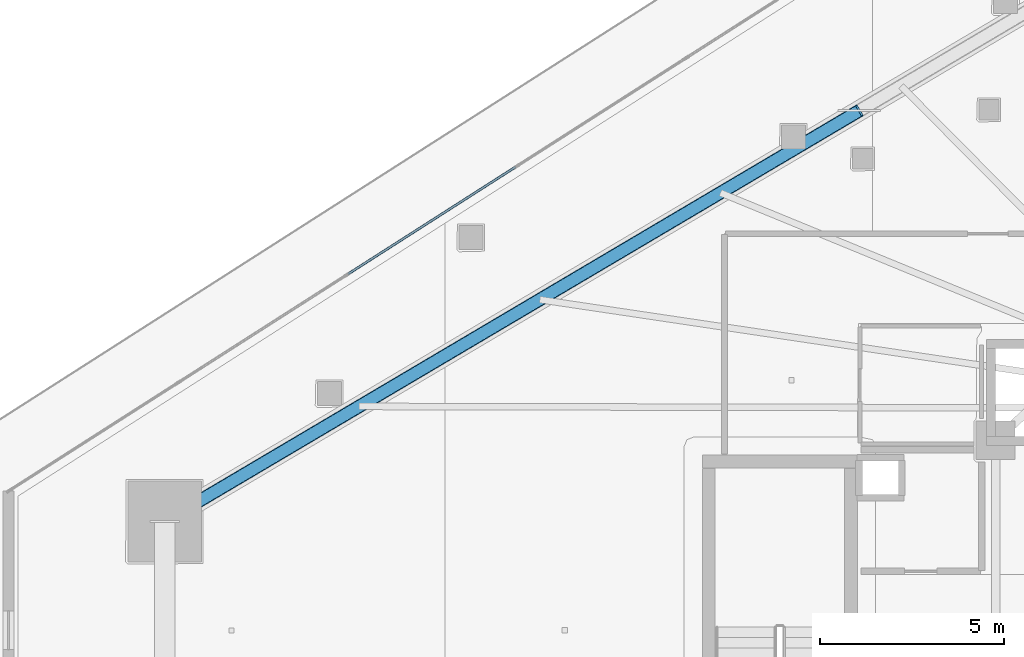
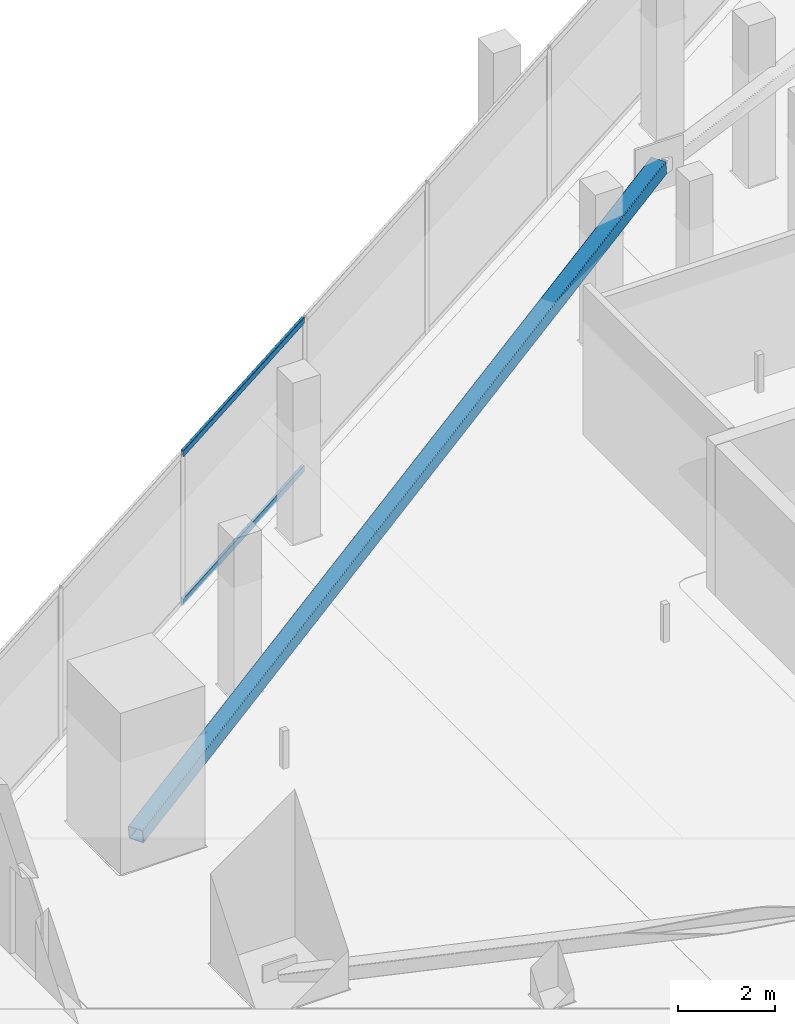
# One storey, part 13 of 40: 3 members, 1 element without a shape of its own.
"""IFC4 building model written with IfcOpenShell, lengths in metres."""

import ifcopenshell
import ifcopenshell.guid

model = None  # the IFC model being written
_history = None  # IfcOwnerHistory: only IFC2X3 demands one
_inside = {}  # id of a spatial element -> (the spatial element, [elements in it])
_under = {}  # id of a project, library or spatial element -> (it, [spatial elements below it])
_declared = {}  # id of a project -> (the project, [libraries it declares])
_typed = {}  # id of a type object -> (the type object, [elements of that type])
_made_of = {}  # id of a material, layer set ... -> (it, [elements and type objects made of it])


def new_model(schema):
    """Start an empty IFC model of exactly this schema.

    Asked for "IFC4X3", IfcOpenShell would pick the latest addendum, in which some entities
    have other attributes; the version numbers below select the first issue.
    IFC2X3 requires an IfcOwnerHistory on every rooted entity: one is made here for all.
    """
    global model, _history
    if schema == "IFC4X3":
        model = ifcopenshell.file(schema_version=(4, 3, 0, 0))
    else:
        model = ifcopenshell.file(schema=schema)
    _inside.clear()
    _under.clear()
    _declared.clear()
    _typed.clear()
    _made_of.clear()
    _history = None
    if model.schema == "IFC2X3":
        org = make("IfcOrganization", Name="unknown")
        user = make(
            "IfcPersonAndOrganization",
            ThePerson=make("IfcPerson", FamilyName="unknown"),
            TheOrganization=org,
        )
        app = make(
            "IfcApplication",
            ApplicationDeveloper=org,
            Version="unknown",
            ApplicationFullName="unknown",
            ApplicationIdentifier="unknown",
        )
        _history = make(
            "IfcOwnerHistory",
            OwningUser=user,
            OwningApplication=app,
            ChangeAction="ADDED",
            CreationDate=0,
        )
    return model


def make(cls, **values):
    """One entity of the class cls with the attributes given. An attribute that is None is left unset."""
    return model.create_entity(
        cls, **{name: value for name, value in values.items() if value is not None}
    )


def rooted(cls, **values):
    """An entity with a GlobalId (a new one), such as an element, a storey or a relation."""
    return make(cls, GlobalId=ifcopenshell.guid.new(), OwnerHistory=_history, **values)


def si_unit(unit_type, name, prefix=None):
    """IfcSIUnit, for example si_unit("LENGTHUNIT", "METRE", prefix="MILLI")."""
    return make("IfcSIUnit", UnitType=unit_type, Prefix=prefix, Name=name)


def assignment(units):
    """IfcUnitAssignment: the units of a project."""
    return None if units is None else make("IfcUnitAssignment", Units=units)


def point(xyz):
    """IfcCartesianPoint."""
    return None if xyz is None else make("IfcCartesianPoint", Coordinates=xyz)


def direction(xyz):
    """IfcDirection."""
    return None if xyz is None else make("IfcDirection", DirectionRatios=xyz)


def frame(location, z_axis=None, x_axis=None):
    """IfcAxis2Placement3D, a coordinate frame: its origin and axes. An axis left out is left unset."""
    return make(
        "IfcAxis2Placement3D",
        Location=point(location),
        Axis=direction(z_axis),
        RefDirection=direction(x_axis),
    )


def frame_2d(location, x_axis=None):
    """IfcAxis2Placement2D, a coordinate frame in the plane: its origin and x axis."""
    return make(
        "IfcAxis2Placement2D", Location=point(location), RefDirection=direction(x_axis)
    )


def origin():
    """The frame at (0, 0, 0) with its axes left unset."""
    return frame((0.0, 0.0, 0.0))


def origin_2d():
    """The frame at (0, 0) in the plane with its x axis left unset."""
    return frame_2d((0.0, 0.0))


def place(relative_to, where):
    """IfcLocalPlacement: puts the frame where relative to a parent placement (None: the world)."""
    return make(
        "IfcLocalPlacement", PlacementRelTo=relative_to, RelativePlacement=where
    )


def context(
    kind, dimensions, precision=None, world=None, true_north=None, identifier=None
):
    """IfcGeometricRepresentationContext, for example the 3D "Model" context."""
    return make(
        "IfcGeometricRepresentationContext",
        ContextIdentifier=identifier,
        ContextType=kind,
        CoordinateSpaceDimension=dimensions,
        Precision=precision,
        WorldCoordinateSystem=world,
        TrueNorth=true_north,
    )


def subcontext(parent, identifier, kind, view, scale=None):
    """IfcGeometricRepresentationSubContext, for example "Body" below "Model"."""
    return make(
        "IfcGeometricRepresentationSubContext",
        ContextIdentifier=identifier,
        ContextType=kind,
        ParentContext=parent,
        TargetScale=scale,
        TargetView=view,
    )


def project(units=None, contexts=None):
    """IfcProject with its units and contexts."""
    return rooted(
        "IfcProject",
        Name="project",
        RepresentationContexts=contexts,
        UnitsInContext=assignment(units),
    )


def spatial(cls, under=None, at=None, **own):
    """A site, building, storey or space (cls), placed at a placement, below another one or the project."""
    s = rooted(cls, ObjectPlacement=at, **own)
    if under is not None:
        _under.setdefault(under.id(), (under, []))[1].append(s)
    return s


def profile(cls, at=None, kind="AREA", **sizes):
    """A parametric profile (cls). Its sizes go by their IFC names, for example OverallWidth=200.0."""
    return make(cls, ProfileType=kind, Position=at, **sizes)


def hollow_rectangle(**sizes):
    """IfcRectangleHollowProfileDef."""
    return profile("IfcRectangleHollowProfileDef", **sizes)


def extrude(swept, where, along, depth):
    """IfcExtrudedAreaSolid: the profile swept, set in the frame where, extruded along a direction by depth."""
    return make(
        "IfcExtrudedAreaSolid",
        SweptArea=swept,
        Position=where,
        ExtrudedDirection=direction(along),
        Depth=depth,
    )


def shape(context_of_items, identifier, shape_type, items):
    """IfcShapeRepresentation: the items that make up one representation, for example the "Body"."""
    return make(
        "IfcShapeRepresentation",
        ContextOfItems=context_of_items,
        RepresentationIdentifier=identifier,
        RepresentationType=shape_type,
        Items=items,
    )


def material(Name=None, Category=None):
    """IfcMaterial."""
    return make("IfcMaterial", Name=Name, Category=Category)


def layer(
    of_material, thickness, ventilated=None, Name=None, Category=None, Priority=None
):
    """IfcMaterialLayer: one layer of a wall or slab, of a material (None: an air gap)."""
    return make(
        "IfcMaterialLayer",
        Material=of_material,
        LayerThickness=thickness,
        IsVentilated=ventilated,
        Name=Name,
        Category=Category,
        Priority=Priority,
    )


def layer_set(layers, Name=None):
    """IfcMaterialLayerSet."""
    return make("IfcMaterialLayerSet", MaterialLayers=layers, LayerSetName=Name)


def material_profile(
    of_material, cross_section, Name=None, Category=None, Priority=None
):
    """IfcMaterialProfile: a cross section and its material."""
    return make(
        "IfcMaterialProfile",
        Name=Name,
        Material=of_material,
        Profile=cross_section,
        Priority=Priority,
        Category=Category,
    )


def profile_set(profiles, Name=None, composite=None):
    """IfcMaterialProfileSet."""
    return make(
        "IfcMaterialProfileSet",
        Name=Name,
        MaterialProfiles=profiles,
        CompositeProfile=composite,
    )


def made_of(thing, what):
    """Note that an element or type object is made of a material, layer set ...; save() writes the relation."""
    if what is not None:
        _made_of.setdefault(what.id(), (what, []))[1].append(thing)
    return thing


def type_object(cls, material=None, **own):
    """A type object (cls), such as IfcWallType, which elements share."""
    return made_of(rooted(cls, **own), material)


def element(
    cls,
    number,
    at=None,
    inside=None,
    cuts=None,
    type_object=None,
    material=None,
    context=None,
    identifier="Body",
    shape_type=None,
    held_by="IfcProductDefinitionShape",
    body=None,
    shapes=None,
    **own,
):
    """One element of the class cls, such as IfcWall. Its Tag is "e" and its number.

    at: its placement. inside: the storey or other place that contains it. cuts: it is an
    opening in that element (IfcRelVoidsElement). A single representation is given by context,
    identifier, shape_type and body (its items); several are given by shapes. held_by: the class
    of the entity that holds the representations. save() writes the other relations.
    """
    e = rooted(cls, Tag="e%d" % number, ObjectPlacement=at, **own)
    if body is not None:
        shapes = [shape(context, identifier, shape_type, body)]
    if shapes is not None:
        e.Representation = make(held_by, Representations=shapes)
    if inside is not None:
        _inside.setdefault(inside.id(), (inside, []))[1].append(e)
    if cuts is not None:
        rooted(
            "IfcRelVoidsElement", RelatingBuildingElement=cuts, RelatedOpeningElement=e
        )
    if type_object is not None:
        _typed.setdefault(type_object.id(), (type_object, []))[1].append(e)
    return made_of(e, material)


def aggregate(whole, parts):
    """IfcRelAggregates: a whole, such as a stair, and the parts it consists of."""
    return rooted("IfcRelAggregates", RelatingObject=whole, RelatedObjects=parts)


def save(model, path):
    """Write the relations noted so far, then the file.

    IfcRelAggregates (storeys below a building ...), IfcRelContainedInSpatialStructure (elements
    in a storey), IfcRelDefinesByType, IfcRelAssociatesMaterial and IfcRelDeclares: one each for
    every whole, place, type object, material and project.
    """
    for whole, parts in _under.values():
        aggregate(whole, parts)
    for where, things in _inside.values():
        rooted(
            "IfcRelContainedInSpatialStructure",
            RelatedElements=things,
            RelatingStructure=where,
        )
    for kind, things in _typed.values():
        rooted("IfcRelDefinesByType", RelatedObjects=things, RelatingType=kind)
    for what, things in _made_of.values():
        rooted("IfcRelAssociatesMaterial", RelatedObjects=things, RelatingMaterial=what)
    for by, libraries in _declared.values():
        rooted("IfcRelDeclares", RelatingContext=by, RelatedDefinitions=libraries)
    model.write(path)


model = new_model("IFC4")

# Units and contexts
model_context = context("Model", 3, precision=1e-05, world=origin(), true_north=direction((0.0, 1.0)))
body_context = subcontext(model_context, "Body", "Model", "MODEL_VIEW")
ifc_project = project(units=[si_unit("LENGTHUNIT", "METRE"), si_unit("AREAUNIT", "SQUARE_METRE"), si_unit("VOLUMEUNIT", "CUBIC_METRE"), si_unit("PLANEANGLEUNIT", "RADIAN"), si_unit("MASSUNIT", "GRAM", prefix="KILO")], contexts=[model_context])

# Site, building, storey
site_placement = place(None, origin())
site = spatial("IfcSite", under=ifc_project, at=site_placement, CompositionType="ELEMENT")
building_placement = place(site_placement, origin())
building = spatial("IfcBuilding", under=site, at=building_placement, Name="Qorvath Tower", CompositionType="ELEMENT")
storey_placement = place(building_placement, frame((0.0, 0.0, 138.14990234375)))
storey = spatial("IfcBuildingStorey", under=building, at=storey_placement, Name="L31", CompositionType="ELEMENT", Elevation=138.14990234375)

# Curtain wall, members
ifc_material_1 = material(Name="Anodised aluminium and triple low-E glass", Category="aluminium")
ifc_layer = layer(ifc_material_1, 0.179931640625)
ifc_layer_set = layer_set([ifc_layer], Name="CW-SYS-3")
curtain_wall_type = type_object("IfcCurtainWallType", Name="CW-SYS-3", PredefinedType="NOTDEFINED", material=ifc_layer_set)
curtain_wall_placement = place(storey_placement, origin())
curtain_wall = element("IfcCurtainWall", 1, at=curtain_wall_placement, inside=storey, type_object=curtain_wall_type, Name="Curtain Wall CW-3 CW-T-L31-16.1", PredefinedType="NOTDEFINED")
ifc_material_2 = material(Name="Anodised aluminium 6063-T6", Category="aluminium")
ifc_material_profile_1 = material_profile(ifc_material_2, hollow_rectangle(XDim=0.06494140625, YDim=0.159912109375, WallThickness=0.00341796875, InnerFilletRadius=0.00341796875, OuterFilletRadius=0.007080078125, at=origin_2d()), Name="CWT 160x65")
ifc_profile_set_1 = profile_set([ifc_material_profile_1], Name="Anodised aluminium 6063-T6")
member_type_1 = type_object("IfcMemberType", Name="CWT-160", PredefinedType="USERDEFINED", material=ifc_profile_set_1)
member_1_placement = place(storey_placement, frame((-43.528564453125, 12.56884765625, 0.032470703125), z_axis=(-0.842602030071, -0.538536738691, 0.0), x_axis=(0.538536738691, -0.842602030071, 0.0)))
member_1 = element("IfcMember", 2, at=member_1_placement, type_object=member_type_1, Name="CW-3 transom 7.1", ObjectType="TRANSOM", PredefinedType="USERDEFINED", context=body_context, shape_type="SweptSolid", body=[
    extrude(hollow_rectangle(XDim=0.06494140625, YDim=0.159912109375, WallThickness=0.00341796875, InnerFilletRadius=0.00341796875, OuterFilletRadius=0.007080078125, at=origin_2d()), origin(), (0.0, 0.0, 1.0), 5.388427734375),
])
member_2_placement = place(storey_placement, frame((-43.528564453125, 12.56884765625, 3.74755859375), z_axis=(-0.842602030071, -0.538536738691, 0.0), x_axis=(0.538536738691, -0.842602030071, 0.0)))
member_2 = element("IfcMember", 3, at=member_2_placement, type_object=member_type_1, Name="CW-3 transom 7.2", ObjectType="TRANSOM", PredefinedType="USERDEFINED", context=body_context, shape_type="SweptSolid", body=[
    extrude(hollow_rectangle(XDim=0.06494140625, YDim=0.159912109375, WallThickness=0.00341796875, InnerFilletRadius=0.00341796875, OuterFilletRadius=0.007080078125, at=origin_2d()), origin(), (0.0, 0.0, 1.0), 5.388427734375),
])
aggregate(curtain_wall, [member_1, member_2])

# Member
ifc_material_3 = material(Name="Steel ASTM A500 Grade C", Category="steel")
ifc_material_profile_2 = material_profile(ifc_material_3, hollow_rectangle(XDim=0.355712890625, YDim=0.355712890625, WallThickness=0.015869140625, InnerFilletRadius=0.015869140625, OuterFilletRadius=0.03173828125, at=origin_2d()), Name="HSS 356x356x16")
ifc_profile_set_2 = profile_set([ifc_material_profile_2], Name="Steel ASTM A500 Grade C")
member_type_2 = type_object("IfcMemberType", Name="MEM-MB2", PredefinedType="BRACE", material=ifc_profile_set_2)
member_3_placement = place(storey_placement, frame((-53.04931640625, 2.95068359375, 0.0), z_axis=(0.850410115142, 0.502856465521, 0.154719136333), x_axis=(-0.508985415689, 0.860775142889, 0.0)))
element("IfcMember", 4, at=member_3_placement, inside=storey, type_object=member_type_2, Name="Perimeter Chevron Brace L31-1B", PredefinedType="BRACE", context=body_context, shape_type="SweptSolid", body=[
    extrude(hollow_rectangle(XDim=0.355712890625, YDim=0.355712890625, WallThickness=0.015869140625, InnerFilletRadius=0.015869140625, OuterFilletRadius=0.03173828125, at=origin_2d()), origin(), (0.0, 0.0, 1.0), 22.168701171875),
])

save(model, "model.ifc")
